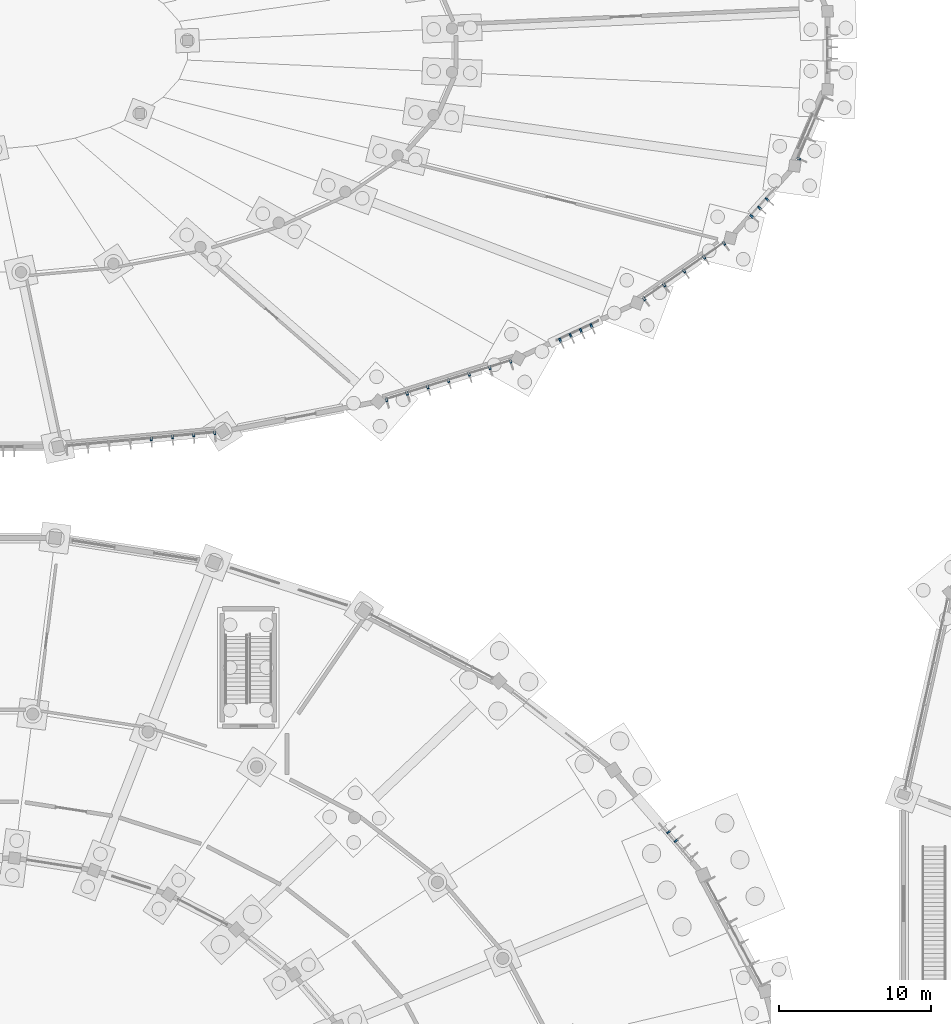
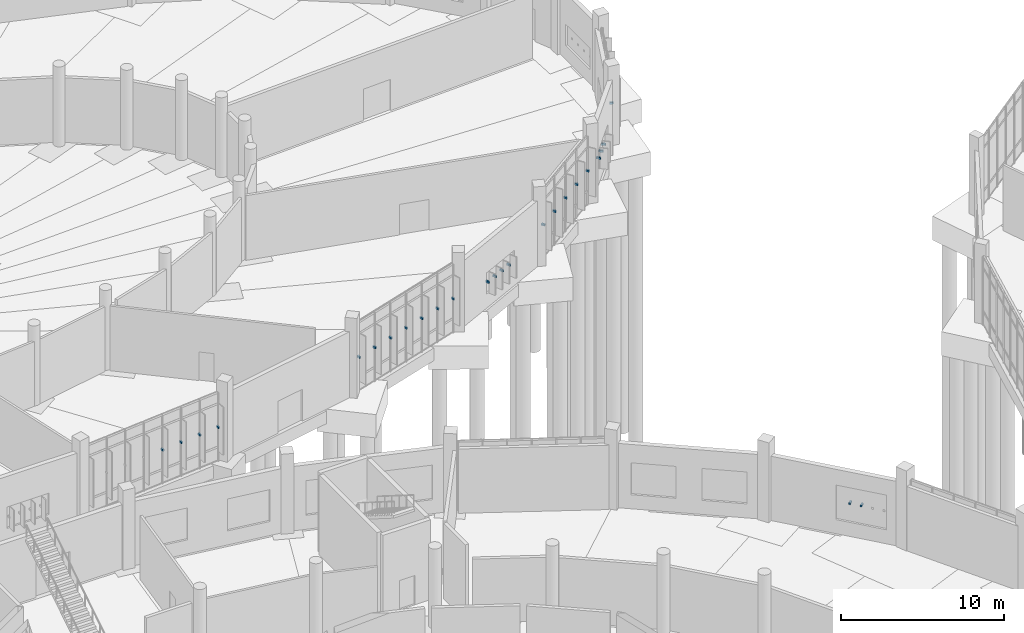
# One storey, part 106 of 140: 26 discrete accessories.
"""IFC4 building model written with IfcOpenShell, lengths in metres."""

from ifc_helpers import new_model, si_unit, direction, frame, origin, origin_2d, place, context, subcontext, project, spatial, rectangle, extrude, material, type_object, element, save


model = new_model("IFC4")

# Units and contexts
model_context = context("Model", 3, precision=1e-05, world=origin(), true_north=direction((0.0, 1.0)))
body_context = subcontext(model_context, "Body", "Model", "MODEL_VIEW")
ifc_project = project(units=[si_unit("LENGTHUNIT", "METRE"), si_unit("AREAUNIT", "SQUARE_METRE"), si_unit("VOLUMEUNIT", "CUBIC_METRE"), si_unit("PLANEANGLEUNIT", "RADIAN"), si_unit("MASSUNIT", "GRAM", prefix="KILO")], contexts=[model_context])

# Site, building, storey
site_placement = place(None, origin())
site = spatial("IfcSite", under=ifc_project, at=site_placement, CompositionType="ELEMENT")
building_placement = place(site_placement, origin())
building = spatial("IfcBuilding", under=site, at=building_placement, Name="Corvandel Quay Wholesale Market", CompositionType="ELEMENT")
storey_placement = place(building_placement, origin())
storey = spatial("IfcBuildingStorey", under=building, at=storey_placement, Name="L00", CompositionType="ELEMENT", Elevation=0.0)

# Discrete accessories
ifc_material = material(Name="Austenitic stainless steel Grade 316", Category="steel")
discrete_accessory_type = type_object("IfcDiscreteAccessoryType", Name="Stainless Solar Fin Fixing Bracket BRK01", PredefinedType="USERDEFINED", material=ifc_material)
for number, where, z_axis, x_axis, name in (
    (1, (160.059814453125, 64.13623046875, 2.2802734375), (0.0, 0.0, 1.0), (0.758589401976, 0.651568967347, 0.0), "Fin Bracket 0017"),
    (2, (159.571044921875, 64.705078125, 2.2802734375), (0.0, 0.0, 1.0), (0.758589401976, 0.651568967347, 0.0), "Fin Bracket 0018"),
):
    element("IfcDiscreteAccessory", number, at=place(storey_placement, frame(where, z_axis=z_axis, x_axis=x_axis)), inside=storey, type_object=discrete_accessory_type, Name=name, ObjectType="BRACKET", PredefinedType="USERDEFINED", context=body_context, shape_type="SweptSolid", body=[
        extrude(rectangle(XDim=0.280029296875, YDim=0.1201171875, at=origin_2d()), origin(), (0.0, 0.0, 1.0), 0.139892578125),
    ])
for number, where, z_axis, x_axis, name in (
    (3, (125.626953125, 90.50390625, 2.5048828125), (0.0, 0.0, 1.0), (-0.092023008338, 0.995756880939, 0.0), "Fin Bracket 0516"),
    (4, (127.018798828125, 90.632568359375, 2.5048828125), (0.0, 0.0, 1.0), (-0.092023008338, 0.995756880939, 0.0), "Fin Bracket 0517"),
    (5, (128.410888671875, 90.760986328125, 2.5048828125), (0.0, 0.0, 1.0), (-0.092023008338, 0.995756880939, 0.0), "Fin Bracket 0518"),
    (6, (129.802734375, 90.8896484375, 2.5048828125), (0.0, 0.0, 1.0), (-0.092023008338, 0.995756880939, 0.0), "Fin Bracket 0519"),
    (7, (141.0595703125, 93.061767578125, 2.5048828125), (0.0, 0.0, 1.0), (-0.296208192067, 0.955123398809, 0.0), "Fin Bracket 0545"),
    (8, (142.416259765625, 93.482421875, 2.5048828125), (0.0, 0.0, 1.0), (-0.296208192067, 0.955123398809, 0.0), "Fin Bracket 0546"),
    (9, (143.77294921875, 93.9033203125, 2.5048828125), (0.0, 0.0, 1.0), (-0.296208192067, 0.955123398809, 0.0), "Fin Bracket 0547"),
    (10, (145.1298828125, 94.32421875, 2.5048828125), (0.0, 0.0, 1.0), (-0.296208192067, 0.955123398809, 0.0), "Fin Bracket 0548"),
    (11, (146.486572265625, 94.7451171875, 2.5048828125), (0.0, 0.0, 1.0), (-0.296208192067, 0.955123398809, 0.0), "Fin Bracket 0549"),
    (12, (147.84326171875, 95.166015625, 2.5048828125), (0.0, 0.0, 1.0), (-0.296208192067, 0.955123398809, 0.0), "Fin Bracket 0550"),
    (13, (149.2001953125, 95.586669921875, 2.5048828125), (0.0, 0.0, 1.0), (-0.296208192067, 0.955123398809, 0.0), "Fin Bracket 0551"),
):
    element("IfcDiscreteAccessory", number, at=place(storey_placement, frame(where, z_axis=z_axis, x_axis=x_axis)), inside=storey, type_object=discrete_accessory_type, Name=name, ObjectType="BRACKET", PredefinedType="USERDEFINED", context=body_context, shape_type="SweptSolid", body=[
        extrude(rectangle(XDim=0.239990234375, YDim=0.1201171875, at=origin_2d()), origin(), (0.0, 0.0, 1.0), 0.139892578125),
    ])
for number, where, z_axis, x_axis, name in (
    (14, (152.461181640625, 96.976806640625, 1.7802734375), (0.0, 0.0, 1.0), (-0.421194115999, 0.906970515865, 0.0), "Fin Bracket 0561"),
    (15, (153.141357421875, 97.292724609375, 1.7802734375), (0.0, 0.0, 1.0), (-0.421194115999, 0.906970515865, 0.0), "Fin Bracket 0562"),
    (16, (153.821533203125, 97.608642578125, 1.7802734375), (0.0, 0.0, 1.0), (-0.421194115999, 0.906970515865, 0.0), "Fin Bracket 0563"),
    (17, (154.501708984375, 97.92431640625, 1.7802734375), (0.0, 0.0, 1.0), (-0.421194115999, 0.906970515865, 0.0), "Fin Bracket 0564"),
):
    element("IfcDiscreteAccessory", number, at=place(storey_placement, frame(where, z_axis=z_axis, x_axis=x_axis)), inside=storey, type_object=discrete_accessory_type, Name=name, ObjectType="BRACKET", PredefinedType="USERDEFINED", context=body_context, shape_type="SweptSolid", body=[
        extrude(rectangle(XDim=0.280029296875, YDim=0.1201171875, at=origin_2d()), origin(), (0.0, 0.0, 1.0), 0.139892578125),
    ])
for number, where, z_axis, x_axis, name in (
    (18, (157.9755859375, 99.684814453125, 2.5048828125), (0.0, 0.0, 1.0), (-0.570570241419, 0.821248804935, 0.0), "Fin Bracket 0571"),
    (19, (159.2861328125, 100.59521484375, 2.5048828125), (0.0, 0.0, 1.0), (-0.570570241419, 0.821248804935, 0.0), "Fin Bracket 0572"),
    (20, (160.5966796875, 101.505615234375, 2.5048828125), (0.0, 0.0, 1.0), (-0.570570241419, 0.821248804935, 0.0), "Fin Bracket 0573"),
    (21, (161.9072265625, 102.416259765625, 2.5048828125), (0.0, 0.0, 1.0), (-0.570570241419, 0.821248804935, 0.0), "Fin Bracket 0574"),
    (22, (163.2177734375, 103.32666015625, 2.5048828125), (0.0, 0.0, 1.0), (-0.570570241419, 0.821248804935, 0.0), "Fin Bracket 0575"),
):
    element("IfcDiscreteAccessory", number, at=place(storey_placement, frame(where, z_axis=z_axis, x_axis=x_axis)), inside=storey, type_object=discrete_accessory_type, Name=name, ObjectType="BRACKET", PredefinedType="USERDEFINED", context=body_context, shape_type="SweptSolid", body=[
        extrude(rectangle(XDim=0.239990234375, YDim=0.1201171875, at=origin_2d()), origin(), (0.0, 0.0, 1.0), 0.139892578125),
    ])
for number, where, z_axis, x_axis, name in (
    (23, (165.02978515625, 105.106201171875, 1.7548828125), (0.0, 0.0, 1.0), (-0.746289766155, 0.665621202286, 0.0), "Fin Bracket 0578"),
    (24, (165.52880859375, 105.666015625, 1.7548828125), (0.0, 0.0, 1.0), (-0.746289766155, 0.665621202286, 0.0), "Fin Bracket 0579"),
    (25, (166.028076171875, 106.2255859375, 1.7548828125), (0.0, 0.0, 1.0), (-0.746289766155, 0.665621202286, 0.0), "Fin Bracket 0580"),
):
    element("IfcDiscreteAccessory", number, at=place(storey_placement, frame(where, z_axis=z_axis, x_axis=x_axis)), inside=storey, type_object=discrete_accessory_type, Name=name, ObjectType="BRACKET", PredefinedType="USERDEFINED", context=body_context, shape_type="SweptSolid", body=[
        extrude(rectangle(XDim=0.280029296875, YDim=0.1201171875, at=origin_2d()), origin(), (0.0, 0.0, 1.0), 0.139892578125),
    ])
discrete_accessory_placement = place(storey_placement, frame((168.115966796875, 108.888916015625, 2.5048828125), z_axis=(0.0, 0.0, 1.0), x_axis=(-0.919204081089, 0.393781484212, 0.0)))
element("IfcDiscreteAccessory", 26, at=discrete_accessory_placement, inside=storey, type_object=discrete_accessory_type, Name="Fin Bracket 0586", ObjectType="BRACKET", PredefinedType="USERDEFINED", context=body_context, shape_type="SweptSolid", body=[
    extrude(rectangle(XDim=0.239990234375, YDim=0.1201171875, at=origin_2d()), origin(), (0.0, 0.0, 1.0), 0.139892578125),
])

save(model, "model.ifc")
